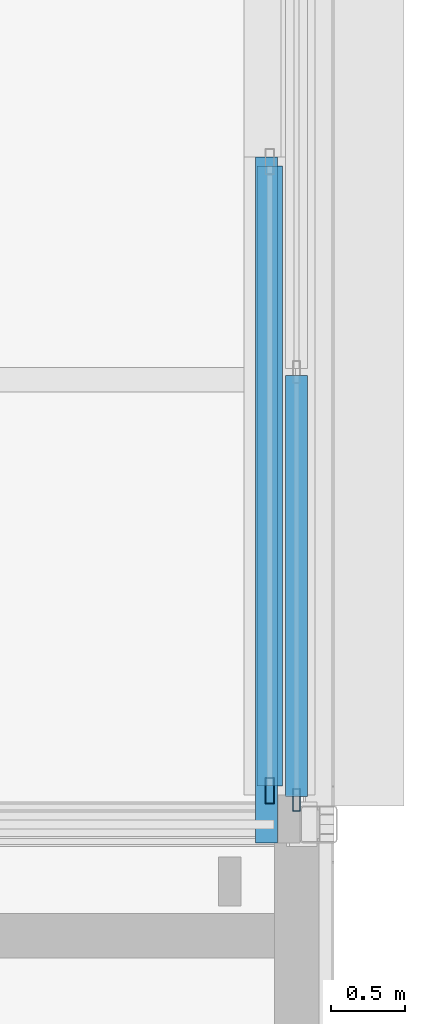
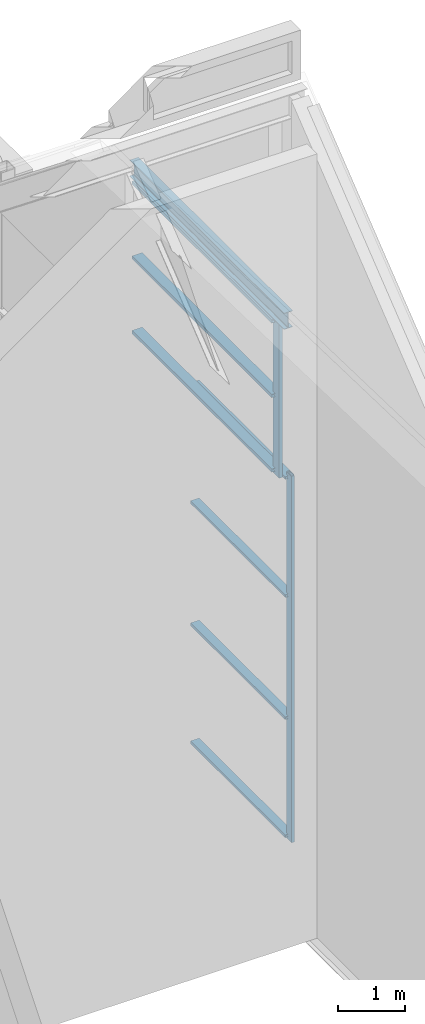
# One storey, part 69 of 144: 9 members, 1 beam, 2 elements without a shape of their own.
"""IFC4 building model written with IfcOpenShell, lengths in metres."""

from ifc_helpers import new_model, si_unit, direction, frame, origin, origin_2d, place, context, subcontext, project, spatial, hollow_rectangle, i_section, extrude, material, layer, layer_set, material_profile, profile_set, type_object, element, aggregate, save


model = new_model("IFC4")

# Units and contexts
model_context = context("Model", 3, precision=1e-05, world=origin(), true_north=direction((0.0, 1.0)))
body_context = subcontext(model_context, "Body", "Model", "MODEL_VIEW")
ifc_project = project(units=[si_unit("LENGTHUNIT", "METRE"), si_unit("AREAUNIT", "SQUARE_METRE"), si_unit("VOLUMEUNIT", "CUBIC_METRE"), si_unit("PLANEANGLEUNIT", "RADIAN"), si_unit("MASSUNIT", "GRAM", prefix="KILO")], contexts=[model_context])

# Site, building, storey
site_placement = place(None, origin())
site = spatial("IfcSite", under=ifc_project, at=site_placement, CompositionType="ELEMENT")
building_placement = place(site_placement, origin())
building = spatial("IfcBuilding", under=site, at=building_placement, Name="Shorebreak Coast Museum", CompositionType="ELEMENT")
storey_placement = place(building_placement, frame((0.0, 0.0, 36.0)))
storey = spatial("IfcBuildingStorey", under=building, at=storey_placement, Name="L06", CompositionType="ELEMENT", Elevation=36.0)

# Beam
ifc_material_1 = material(Name="Steel Grade 300", Category="steel")
ifc_material_profile_1 = material_profile(ifc_material_1, i_section(OverallWidth=0.14892578125, OverallDepth=0.298095703125, WebThickness=0.005615234375, FlangeThickness=0.008056640625, FilletRadius=0.012939453125, at=origin_2d()), Name="310UB32.0")
ifc_profile_set_1 = profile_set([ifc_material_profile_1], Name="Steel Grade 300")
beam_type = type_object("IfcBeamType", Name="Gable head beam 310UB32.0", PredefinedType="BEAM", material=ifc_profile_set_1)
beam_placement = place(storey_placement, frame((116.6484375, 62.875, 10.85107421875), z_axis=(0.0, 1.0, 0.0), x_axis=(-1.0, 0.0, 0.0)))
element("IfcBeam", 1, at=beam_placement, inside=storey, type_object=beam_type, Name="Gable head beam FOLD-X-117-1", PredefinedType="BEAM", context=body_context, shape_type="SweptSolid", body=[
    extrude(i_section(OverallWidth=0.14892578125, OverallDepth=0.298095703125, WebThickness=0.005615234375, FlangeThickness=0.008056640625, FilletRadius=0.012939453125, at=origin_2d()), origin(), (0.0, 0.0, 1.0), 4.625),
])

# Curtain wall, members
ifc_material_2 = material(Name="Aluminium", Category="aluminium")
ifc_layer_1 = layer(ifc_material_2, 0.175048828125)
ifc_layer_set_1 = layer_set([ifc_layer_1], Name="Aluminium")
curtain_wall_type_1 = type_object("IfcCurtainWallType", Name="Gable curtain wall", PredefinedType="NOTDEFINED", material=ifc_layer_set_1)
curtain_wall_1_placement = place(storey_placement, origin())
curtain_wall_1 = element("IfcCurtainWall", 2, at=curtain_wall_1_placement, inside=storey, type_object=curtain_wall_type_1, Name="Gable glazing FOLD-X-117-1", PredefinedType="NOTDEFINED")
ifc_material_3 = material(Name="Aluminium", Category="aluminium")
ifc_material_profile_2 = material_profile(ifc_material_3, hollow_rectangle(XDim=0.06005859375, YDim=0.175048828125, WallThickness=0.00390625, at=origin_2d()), Name="AL 175x60 RHS")
ifc_profile_set_2 = profile_set([ifc_material_profile_2], Name="Aluminium")
member_type_1 = type_object("IfcMemberType", Name="Gable mullion 60 x 175", PredefinedType="MULLION", material=ifc_profile_set_2)
member_1_placement = place(storey_placement, frame((116.66943359375, 63.22705078125, 7.800048828125), z_axis=(0.0, 0.0, 1.0), x_axis=(-1.0, 0.0, 0.0)))
member_1 = element("IfcMember", 3, at=member_1_placement, type_object=member_type_1, Name="CW9 mullion 1", PredefinedType="MULLION", context=body_context, shape_type="SweptSolid", body=[
    extrude(hollow_rectangle(XDim=0.06005859375, YDim=0.175048828125, WallThickness=0.00390625, at=origin_2d()), origin(), (0.0, 0.0, 1.0), 2.90185546875),
])
ifc_material_4 = material(Name="Aluminium", Category="aluminium")
ifc_material_profile_3 = material_profile(ifc_material_4, hollow_rectangle(XDim=0.175048828125, YDim=0.06005859375, WallThickness=0.00390625, at=origin_2d()), Name="AL 60x175 RHS")
ifc_profile_set_3 = profile_set([ifc_material_profile_3], Name="Aluminium")
member_type_2 = type_object("IfcMemberType", Name="Gable transom 175 x 60", PredefinedType="USERDEFINED", material=ifc_profile_set_3)
member_2_placement = place(storey_placement, frame((116.66943359375, 63.257080078125, 7.887451171875), z_axis=(0.0, 1.0, 0.0), x_axis=(-1.0, 0.0, 0.0)))
member_2 = element("IfcMember", 4, at=member_2_placement, type_object=member_type_2, Name="CW9 transom 1.1", ObjectType="TRANSOM", PredefinedType="USERDEFINED", context=body_context, shape_type="SweptSolid", body=[
    extrude(hollow_rectangle(XDim=0.175048828125, YDim=0.06005859375, WallThickness=0.00390625, at=origin_2d()), origin(), (0.0, 0.0, 1.0), 4.182861328125),
])
member_3_placement = place(storey_placement, frame((116.66943359375, 63.257080078125, 9.2509765625), z_axis=(0.0, 1.0, 0.0), x_axis=(-1.0, 0.0, 0.0)))
member_3 = element("IfcMember", 5, at=member_3_placement, type_object=member_type_2, Name="CW9 transom 1.2", ObjectType="TRANSOM", PredefinedType="USERDEFINED", context=body_context, shape_type="SweptSolid", body=[
    extrude(hollow_rectangle(XDim=0.175048828125, YDim=0.06005859375, WallThickness=0.00390625, at=origin_2d()), origin(), (0.0, 0.0, 1.0), 4.182861328125),
])
member_4_placement = place(storey_placement, frame((116.66943359375, 63.257080078125, 10.614501953125), z_axis=(0.0, 1.0, 0.0), x_axis=(-1.0, 0.0, 0.0)))
member_4 = element("IfcMember", 6, at=member_4_placement, type_object=member_type_2, Name="CW9 transom 1.3", ObjectType="TRANSOM", PredefinedType="USERDEFINED", context=body_context, shape_type="SweptSolid", body=[
    extrude(hollow_rectangle(XDim=0.175048828125, YDim=0.06005859375, WallThickness=0.00390625, at=origin_2d()), origin(), (0.0, 0.0, 1.0), 4.182861328125),
])
aggregate(curtain_wall_1, [member_1, member_2, member_3, member_4])

ifc_material_5 = material(Name="Aluminium", Category="aluminium")
ifc_layer_2 = layer(ifc_material_5, 0.14990234375)
ifc_layer_set_2 = layer_set([ifc_layer_2], Name="Aluminium")
curtain_wall_type_2 = type_object("IfcCurtainWallType", Name="Storefront curtain wall", PredefinedType="NOTDEFINED", material=ifc_layer_set_2)
curtain_wall_2_placement = place(storey_placement, origin())
curtain_wall_2 = element("IfcCurtainWall", 7, at=curtain_wall_2_placement, inside=storey, type_object=curtain_wall_type_2, Name="Atrium Hall glazing L06 E 20", PredefinedType="NOTDEFINED")
ifc_material_6 = material(Name="Aluminium", Category="aluminium")
ifc_material_profile_4 = material_profile(ifc_material_6, hollow_rectangle(XDim=0.050048828125, YDim=0.14990234375, WallThickness=0.00390625, at=origin_2d()), Name="AL 150x50 RHS")
ifc_profile_set_4 = profile_set([ifc_material_profile_4], Name="Aluminium")
member_type_3 = type_object("IfcMemberType", Name="Storefront mullion 50 x 150", PredefinedType="MULLION", material=ifc_profile_set_4)
member_5_placement = place(storey_placement, frame((116.85009765625, 63.1640625, 1.10009765625), z_axis=(0.0, 0.0, 1.0), x_axis=(-1.0, 0.0, 0.0)))
member_5 = element("IfcMember", 8, at=member_5_placement, type_object=member_type_3, Name="CW5 mullion 1", PredefinedType="MULLION", context=body_context, shape_type="SweptSolid", body=[
    extrude(hollow_rectangle(XDim=0.050048828125, YDim=0.14990234375, WallThickness=0.00390625, at=origin_2d()), origin(), (0.0, 0.0, 1.0), 6.699951171875),
])
ifc_material_7 = material(Name="Aluminium", Category="aluminium")
ifc_material_profile_5 = material_profile(ifc_material_7, hollow_rectangle(XDim=0.14990234375, YDim=0.050048828125, WallThickness=0.00390625, at=origin_2d()), Name="AL 50x150 RHS")
ifc_profile_set_5 = profile_set([ifc_material_profile_5], Name="Aluminium")
member_type_4 = type_object("IfcMemberType", Name="Storefront transom 150 x 50", PredefinedType="USERDEFINED", material=ifc_profile_set_5)
member_6_placement = place(storey_placement, frame((116.85009765625, 63.18896484375, 1.175048828125), z_axis=(0.0, 1.0, 0.0), x_axis=(-1.0, 0.0, 0.0)))
member_6 = element("IfcMember", 9, at=member_6_placement, type_object=member_type_4, Name="CW5 transom 1.1", ObjectType="TRANSOM", PredefinedType="USERDEFINED", context=body_context, shape_type="SweptSolid", body=[
    extrude(hollow_rectangle(XDim=0.14990234375, YDim=0.050048828125, WallThickness=0.00390625, at=origin_2d()), origin(), (0.0, 0.0, 1.0), 2.8369140625),
])
member_7_placement = place(storey_placement, frame((116.85009765625, 63.18896484375, 3.333251953125), z_axis=(0.0, 1.0, 0.0), x_axis=(-1.0, 0.0, 0.0)))
member_7 = element("IfcMember", 10, at=member_7_placement, type_object=member_type_4, Name="CW5 transom 1.2", ObjectType="TRANSOM", PredefinedType="USERDEFINED", context=body_context, shape_type="SweptSolid", body=[
    extrude(hollow_rectangle(XDim=0.14990234375, YDim=0.050048828125, WallThickness=0.00390625, at=origin_2d()), origin(), (0.0, 0.0, 1.0), 2.8369140625),
])
member_8_placement = place(storey_placement, frame((116.85009765625, 63.18896484375, 5.566650390625), z_axis=(0.0, 1.0, 0.0), x_axis=(-1.0, 0.0, 0.0)))
member_8 = element("IfcMember", 11, at=member_8_placement, type_object=member_type_4, Name="CW5 transom 1.3", ObjectType="TRANSOM", PredefinedType="USERDEFINED", context=body_context, shape_type="SweptSolid", body=[
    extrude(hollow_rectangle(XDim=0.14990234375, YDim=0.050048828125, WallThickness=0.00390625, at=origin_2d()), origin(), (0.0, 0.0, 1.0), 2.8369140625),
])
member_9_placement = place(storey_placement, frame((116.85009765625, 63.18896484375, 7.72509765625), z_axis=(0.0, 1.0, 0.0), x_axis=(-1.0, 0.0, 0.0)))
member_9 = element("IfcMember", 12, at=member_9_placement, type_object=member_type_4, Name="CW5 transom 1.4", ObjectType="TRANSOM", PredefinedType="USERDEFINED", context=body_context, shape_type="SweptSolid", body=[
    extrude(hollow_rectangle(XDim=0.14990234375, YDim=0.050048828125, WallThickness=0.00390625, at=origin_2d()), origin(), (0.0, 0.0, 1.0), 2.8369140625),
])
aggregate(curtain_wall_2, [member_5, member_6, member_7, member_8, member_9])

save(model, "model.ifc")
